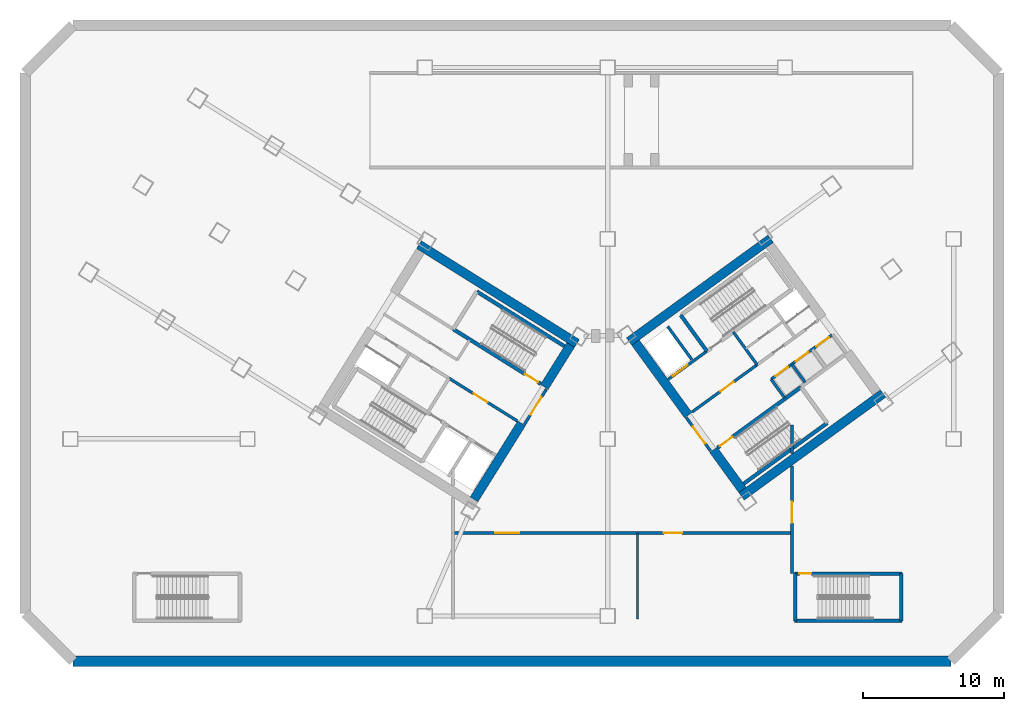
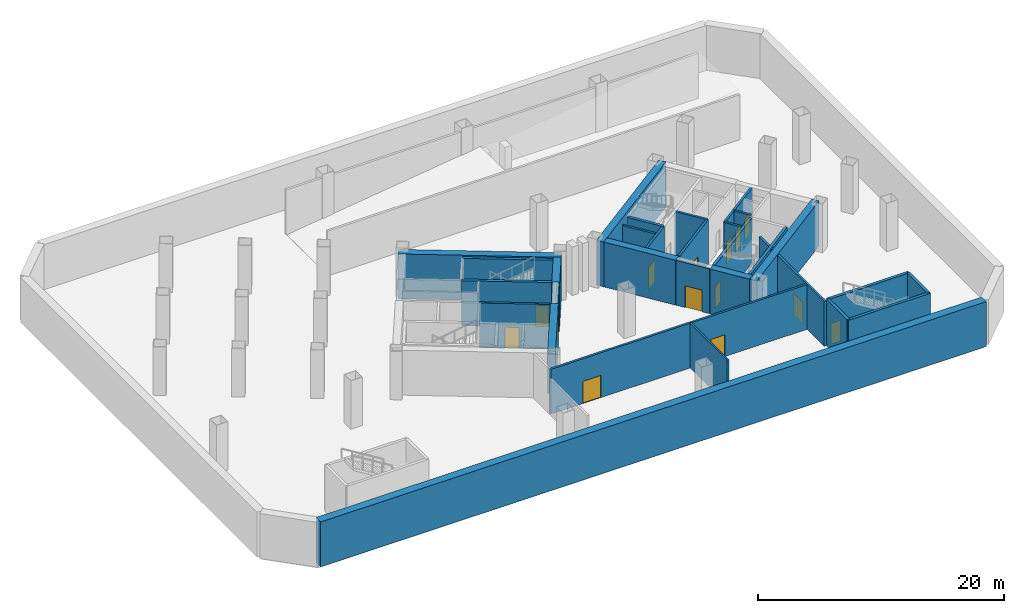
# One storey, part 3 of 9: 31 walls, 14 doors, 14 openings.
"""IFC4 building model written with IfcOpenShell, lengths in metres."""

from ifc_helpers import new_model, si_unit, direction, frame, frame_2d, origin, place, context, subcontext, project, spatial, rectangle, extrude, source, transform, mapped, material, layer, layer_set, type_object, element, fill, save


model = new_model("IFC4")

# Units and contexts
model_context = context("Model", 3, precision=1e-05, world=origin(), true_north=direction((0.0, 1.0)))
body_context = subcontext(model_context, "Body", "Model", "MODEL_VIEW")
ifc_project = project(units=[si_unit("LENGTHUNIT", "METRE"), si_unit("AREAUNIT", "SQUARE_METRE"), si_unit("VOLUMEUNIT", "CUBIC_METRE"), si_unit("PLANEANGLEUNIT", "RADIAN"), si_unit("MASSUNIT", "GRAM", prefix="KILO")], contexts=[model_context])

# Site, building, storey
site_placement = place(None, origin())
site = spatial("IfcSite", under=ifc_project, at=site_placement, CompositionType="ELEMENT")
building_placement = place(site_placement, origin())
building = spatial("IfcBuilding", under=site, at=building_placement, Name="Tlacorven Tower", CompositionType="ELEMENT")
storey_placement = place(building_placement, frame((0.0, 0.0, -4.800048828125)))
storey = spatial("IfcBuildingStorey", under=building, at=storey_placement, Name="B1", CompositionType="ELEMENT", Elevation=-4.800048828125)

# Walls
ifc_material_1 = material(Name="Concrete C60/75", Category="concrete")
ifc_layer_1 = layer(ifc_material_1, 0.64990234375)
ifc_layer_set_1 = layer_set([ifc_layer_1], Name="Concrete C60/75")
wall_type_1 = type_object("IfcWallType", Name="WL-COR-650", PredefinedType="SHEAR", material=ifc_layer_set_1)
wall_1_placement = place(storey_placement, frame((40.615478515625, 23.9833984375, 0.0), z_axis=(0.0, 0.0, 1.0), x_axis=(-0.848045953968, 0.529922692436, 0.0)))
element("IfcWall", 1, at=wall_1_placement, inside=storey, type_object=wall_type_1, Name="B1 W core shear wall S1", PredefinedType="SHEAR", context=body_context, shape_type="SweptSolid", body=[
    extrude(rectangle(XDim=13.239990234375, YDim=0.64990234375, at=frame_2d((6.6201171875, 0.0))), origin(), (0.0, 0.0, 1.0), 4.449951171875),
])
wall_2_placement = place(storey_placement, frame((40.167724609375, 23.880126953125, 0.0), z_axis=(0.0, 0.0, 1.0), x_axis=(-0.529893103397, -0.8480644427, 0.0)))
element("IfcWall", 2, at=wall_2_placement, inside=storey, type_object=wall_type_1, Name="B1 W core end wall E1.1", PredefinedType="SHEAR", context=body_context, shape_type="SweptSolid", body=[
    extrude(rectangle(XDim=3.525146484375, YDim=0.64990234375, at=frame_2d((1.7626953125, 0.0))), origin(), (0.0, 0.0, 1.0), 4.449951171875),
])
wall_3_placement = place(storey_placement, frame((36.683349609375, 18.30419921875, 0.0), z_axis=(0.0, 0.0, 1.0), x_axis=(-0.529899109053, -0.848060690178, 0.0)))
element("IfcWall", 3, at=wall_3_placement, inside=storey, type_object=wall_type_1, Name="B1 W core end wall E1.2", PredefinedType="SHEAR", context=body_context, shape_type="SweptSolid", body=[
    extrude(rectangle(XDim=6.375244140625, YDim=0.64990234375, at=frame_2d((3.1875, 0.0))), origin(), (0.0, 0.0, 1.0), 4.449951171875),
])
wall_4_placement = place(storey_placement, frame((52.318359375, 13.1103515625, 0.0), z_axis=(0.0, 0.0, 1.0), x_axis=(0.809019445368, 0.587781878776, 0.0)))
element("IfcWall", 4, at=wall_4_placement, inside=storey, type_object=wall_type_1, Name="B1 E core shear wall S1", PredefinedType="SHEAR", context=body_context, shape_type="SweptSolid", body=[
    extrude(rectangle(XDim=12.43994140625, YDim=0.64990234375, at=frame_2d((6.219970703125, 0.0))), origin(), (0.0, 0.0, 1.0), 4.449951171875),
])
wall_5_placement = place(storey_placement, frame((44.32470703125, 24.113037109375, 0.0), z_axis=(0.0, 0.0, 1.0), x_axis=(0.809012664862, 0.58779121131, 0.0)))
element("IfcWall", 5, at=wall_5_placement, inside=storey, type_object=wall_type_1, Name="B1 E core shear wall S2", PredefinedType="SHEAR", context=body_context, shape_type="SweptSolid", body=[
    extrude(rectangle(XDim=12.439697265625, YDim=0.64990234375, at=frame_2d((6.2197265625, 0.0))), origin(), (0.0, 0.0, 1.0), 4.449951171875),
])
wall_6_placement = place(storey_placement, frame((52.390380859375, 13.564208984375, 0.0), z_axis=(0.0, 0.0, 1.0), x_axis=(-0.58779688989, 0.809008539037, 0.0)))
element("IfcWall", 6, at=wall_6_placement, inside=storey, type_object=wall_type_1, Name="B1 E core end wall E1.1", PredefinedType="SHEAR", context=body_context, shape_type="SweptSolid", body=[
    extrude(rectangle(XDim=3.525146484375, YDim=0.64990234375, at=frame_2d((1.7626953125, 0.0))), origin(), (0.0, 0.0, 1.0), 4.449951171875),
])
wall_7_placement = place(storey_placement, frame((48.525634765625, 18.883544921875, 0.0), z_axis=(0.0, 0.0, 1.0), x_axis=(-0.58777996584, 0.809020835181, 0.0)))
element("IfcWall", 7, at=wall_7_placement, inside=storey, type_object=wall_type_1, Name="B1 E core end wall E1.2", PredefinedType="SHEAR", context=body_context, shape_type="SweptSolid", body=[
    extrude(rectangle(XDim=6.375, YDim=0.64990234375, at=frame_2d((3.1875, 0.0))), origin(), (0.0, 0.0, 1.0), 4.449951171875),
])
ifc_material_2 = material(Name="Gypsum plasterboard acoustic partition", Category="gypsum")
ifc_layer_2 = layer(ifc_material_2, 0.159912109375)
ifc_layer_set_2 = layer_set([ifc_layer_2], Name="Gypsum plasterboard acoustic partition")
wall_type_2 = type_object("IfcWallType", Name="WL-DEM-160", PredefinedType="PARTITIONING", material=ifc_layer_set_2)
wall_8_placement = place(storey_placement, frame((44.919921875, 4.39990234375, 0.0), z_axis=(0.0, 0.0, 1.0), x_axis=(0.0, 1.0, 0.0)))
element("IfcWall", 8, at=wall_8_placement, inside=storey, type_object=wall_type_2, Name="B1 partition 55", PredefinedType="PARTITIONING", context=body_context, shape_type="SweptSolid", body=[
    extrude(rectangle(XDim=6.10009765625, YDim=0.159912109375, at=frame_2d((3.050048828125, 0.0))), origin(), (0.0, 0.0, 1.0), 4.43994140625),
])
ifc_material_3 = material(Name="Concrete C50/60", Category="concrete")
ifc_layer_3 = layer(ifc_material_3, 0.75)
ifc_layer_set_3 = layer_set([ifc_layer_3], Name="Concrete C50/60")
wall_type_3 = type_object("IfcWallType", Name="WL-RET-750", PredefinedType="USERDEFINED", material=ifc_layer_set_3)
wall_9_placement = place(storey_placement, frame((4.800048828125, 1.39990234375, 0.0), z_axis=(0.0, 0.0, 1.0), x_axis=(1.0, 0.0, 0.0)))
element("IfcWall", 9, at=wall_9_placement, inside=storey, type_object=wall_type_3, Name="B1 Diaphragm Retaining Wall 1", ObjectType="RETAINING WALL", PredefinedType="USERDEFINED", context=body_context, shape_type="SweptSolid", body=[
    extrude(rectangle(XDim=62.39990234375, YDim=0.75, at=frame_2d((31.199951171875, 0.0))), origin(), (0.0, 0.0, 1.0), 4.449951171875),
])

# Wall, opening, door
ifc_material_4 = material(Name="Concrete C40/50", Category="concrete")
ifc_layer_4 = layer(ifc_material_4, 0.199951171875)
ifc_layer_set_4 = layer_set([ifc_layer_4], Name="Concrete C40/50")
wall_type_4 = type_object("IfcWallType", Name="WL-SHF-200", PredefinedType="STANDARD", material=ifc_layer_set_4)
wall_10_placement = place(storey_placement, frame((36.374267578125, 18.4736328125, 0.0), z_axis=(0.0, 0.0, 1.0), x_axis=(-0.848051071577, 0.529914502535, 0.0)))
wall_10 = element("IfcWall", 10, at=wall_10_placement, inside=storey, type_object=wall_type_4, Name="B1 Core W Smoke Lobby Wall", PredefinedType="STANDARD", context=body_context, shape_type="SweptSolid", body=[
    extrude(rectangle(XDim=5.718017578125, YDim=0.199951171875, at=frame_2d((2.85888671875, 0.0))), origin(), (0.0, 0.0, 1.0), 4.43994140625),
])
opening_1_placement = place(wall_10_placement, frame((2.498046875, 0.0, 0.0)))
opening_1 = element("IfcOpeningElement", 11, at=opening_1_placement, cuts=wall_10, Name="Opening D09", PredefinedType="OPENING", context=body_context, shape_type="SweptSolid", body=[
    extrude(rectangle(XDim=1.14990234375, YDim=2.10009765625, at=frame_2d((0.574951171875, 1.050048828125))), frame((0.0, 0.10986328125, 0.0), z_axis=(0.0, -1.0, 0.0), x_axis=(1.0, 0.0, 0.0)), (0.0, 0.0, 1.0), 0.219970703125),
])
ifc_material_5 = material(Name="Fire-rated steel door assembly", Category="steel")
door_type_1 = type_object("IfcDoorType", Name="DR-FFL-FD60-1150", OperationType="NOTDEFINED", PredefinedType="DOOR", material=ifc_material_5)
shared_shape_1 = source(origin(), body_context, "Body", "SweptSolid", [
    extrude(rectangle(XDim=1.14990234375, YDim=2.10009765625, at=frame_2d((0.574951171875, 1.050048828125))), frame((0.0, 0.02490234375, 0.0), z_axis=(0.0, -1.0, 0.0), x_axis=(1.0, 0.0, 0.0)), (0.0, 0.0, 1.0), 0.050048828125),
])
door_1_placement = place(opening_1_placement, origin())
door_1 = element("IfcDoor", 12, at=door_1_placement, inside=storey, type_object=door_type_1, Name="B1 Firefighting Lobby W Fire Door", OperationType="SINGLE_SWING_RIGHT", OverallHeight=2.10009765625, OverallWidth=1.14990234375, PredefinedType="DOOR", context=body_context, shape_type="MappedRepresentation", body=[
    mapped(shared_shape_1, transform((0.0, 0.0, 0.0), scale=1.0)),
])
fill(opening_1, door_1)

wall_11_placement = place(storey_placement, frame((47.10595703125, 21.4365234375, 0.0), z_axis=(0.0, 0.0, 1.0), x_axis=(0.809012514015, 0.58779141893, 0.0)))
wall_11 = element("IfcWall", 13, at=wall_11_placement, inside=storey, type_object=wall_type_4, Name="B1 Core E Firefighting Lift Shaft Front Wall", PredefinedType="STANDARD", context=body_context, shape_type="SweptSolid", body=[
    extrude(rectangle(XDim=3.39794921875, YDim=0.199951171875, at=frame_2d((1.698974609375, 0.0))), origin(), (0.0, 0.0, 1.0), 4.43994140625),
])
opening_2_placement = place(wall_11_placement, frame((0.407958984375, 0.0, 0.0)))
opening_2 = element("IfcOpeningElement", 14, at=opening_2_placement, cuts=wall_11, Name="Opening LD03", PredefinedType="OPENING", context=body_context, shape_type="SweptSolid", body=[
    extrude(rectangle(XDim=1.300048828125, YDim=2.199951171875, at=frame_2d((0.64990234375, 1.10009765625))), frame((0.0, 0.10986328125, 0.0), z_axis=(0.0, -1.0, 0.0), x_axis=(1.0, 0.0, 0.0)), (0.0, 0.0, 1.0), 0.219970703125),
])
door_type_2 = type_object("IfcDoorType", Name="DR-LFT-SLID-1300", OperationType="DOUBLE_DOOR_SLIDING", PredefinedType="DOOR", material=ifc_material_5)
shared_shape_2 = source(origin(), body_context, "Body", "SweptSolid", [
    extrude(rectangle(XDim=1.300048828125, YDim=2.199951171875, at=frame_2d((0.64990234375, 1.10009765625))), frame((0.0, 0.02490234375, 0.0), z_axis=(0.0, -1.0, 0.0), x_axis=(1.0, 0.0, 0.0)), (0.0, 0.0, 1.0), 0.050048828125),
])
door_2_placement = place(opening_2_placement, origin())
door_2 = element("IfcDoor", 15, at=door_2_placement, inside=storey, type_object=door_type_2, Name="B1 Lift FFL-E1 Sliding Landing Door", OperationType="DOUBLE_DOOR_SLIDING", OverallHeight=2.199951171875, OverallWidth=1.300048828125, PredefinedType="DOOR", context=body_context, shape_type="MappedRepresentation", body=[
    mapped(shared_shape_2, transform((0.0, 0.0, 0.0), scale=1.0)),
])
fill(opening_2, door_2)

wall_12_placement = place(storey_placement, frame((48.798828125, 19.106689453125, 0.0), z_axis=(0.0, 0.0, 1.0), x_axis=(0.809012959416, 0.587790805897, 0.0)))
wall_12 = element("IfcWall", 16, at=wall_12_placement, inside=storey, type_object=wall_type_4, Name="B1 Core E Smoke Lobby Wall", PredefinedType="STANDARD", context=body_context, shape_type="SweptSolid", body=[
    extrude(rectangle(XDim=5.7177734375, YDim=0.199951171875, at=frame_2d((2.85888671875, 0.0))), origin(), (0.0, 0.0, 1.0), 4.43994140625),
])
opening_3_placement = place(wall_12_placement, frame((2.498046875, 0.0, 0.0)))
opening_3 = element("IfcOpeningElement", 17, at=opening_3_placement, cuts=wall_12, Name="Opening D09", PredefinedType="OPENING", context=body_context, shape_type="SweptSolid", body=[
    extrude(rectangle(XDim=1.14990234375, YDim=2.10009765625, at=frame_2d((0.574951171875, 1.050048828125))), frame((0.0, 0.10986328125, 0.0), z_axis=(0.0, -1.0, 0.0), x_axis=(1.0, 0.0, 0.0)), (0.0, 0.0, 1.0), 0.219970703125),
])
door_3_placement = place(opening_3_placement, origin())
door_3 = element("IfcDoor", 18, at=door_3_placement, inside=storey, type_object=door_type_1, Name="B1 Firefighting Lobby E Fire Door", OperationType="SINGLE_SWING_LEFT", OverallHeight=2.10009765625, OverallWidth=1.14990234375, PredefinedType="DOOR", context=body_context, shape_type="MappedRepresentation", body=[
    mapped(shared_shape_1, transform((0.0, 0.0, 0.0), scale=1.0)),
])
fill(opening_3, door_3)

# Wall, openings, doors
wall_13_placement = place(storey_placement, frame((54.421142578125, 21.436279296875, 0.0), z_axis=(0.0, 0.0, 1.0), x_axis=(0.809013710463, 0.587789772183, 0.0)))
wall_13 = element("IfcWall", 19, at=wall_13_placement, inside=storey, type_object=wall_type_4, Name="B1 partition 29", PredefinedType="STANDARD", context=body_context, shape_type="SweptSolid", body=[
    extrude(rectangle(XDim=5.360107421875, YDim=0.199951171875, at=frame_2d((2.68017578125, 0.0))), origin(), (0.0, 0.0, 1.0), 4.43994140625),
])
opening_4_placement = place(wall_13_placement, frame((0.3701171875, 0.0, 0.0)))
opening_4 = element("IfcOpeningElement", 20, at=opening_4_placement, cuts=wall_13, Name="Opening LD01", PredefinedType="OPENING", context=body_context, shape_type="SweptSolid", body=[
    extrude(rectangle(XDim=1.10009765625, YDim=2.14990234375, at=frame_2d((0.550048828125, 1.074951171875))), frame((0.0, 0.10986328125, 0.0), z_axis=(0.0, -1.0, 0.0), x_axis=(1.0, 0.0, 0.0)), (0.0, 0.0, 1.0), 0.219970703125),
])
opening_5_placement = place(wall_13_placement, frame((2.169921875, 0.0, 0.0)))
opening_5 = element("IfcOpeningElement", 21, at=opening_5_placement, cuts=wall_13, Name="Opening LD01", PredefinedType="OPENING", context=body_context, shape_type="SweptSolid", body=[
    extrude(rectangle(XDim=1.10009765625, YDim=2.14990234375, at=frame_2d((0.550048828125, 1.074951171875))), frame((0.0, 0.10986328125, 0.0), z_axis=(0.0, -1.0, 0.0), x_axis=(1.0, 0.0, 0.0)), (0.0, 0.0, 1.0), 0.219970703125),
])
opening_6_placement = place(wall_13_placement, frame((3.969970703125, 0.0, 0.0)))
opening_6 = element("IfcOpeningElement", 22, at=opening_6_placement, cuts=wall_13, Name="Opening LD01", PredefinedType="OPENING", context=body_context, shape_type="SweptSolid", body=[
    extrude(rectangle(XDim=1.10009765625, YDim=2.14990234375, at=frame_2d((0.550048828125, 1.074951171875))), frame((0.0, 0.10986328125, 0.0), z_axis=(0.0, -1.0, 0.0), x_axis=(1.0, 0.0, 0.0)), (0.0, 0.0, 1.0), 0.219970703125),
])
door_type_3 = type_object("IfcDoorType", Name="DR-LFT-SLID-1100", OperationType="DOUBLE_DOOR_SLIDING", PredefinedType="DOOR", material=ifc_material_5)
shared_shape_3 = source(origin(), body_context, "Body", "SweptSolid", [
    extrude(rectangle(XDim=1.10009765625, YDim=2.14990234375, at=frame_2d((0.550048828125, 1.074951171875))), frame((0.0, 0.02490234375, 0.0), z_axis=(0.0, -1.0, 0.0), x_axis=(1.0, 0.0, 0.0)), (0.0, 0.0, 1.0), 0.050048828125),
])
door_4_placement = place(opening_4_placement, origin())
door_4 = element("IfcDoor", 23, at=door_4_placement, inside=storey, type_object=door_type_3, Name="B1 Lift PL-L1 Sliding Landing Door", OperationType="DOUBLE_DOOR_SLIDING", OverallHeight=2.14990234375, OverallWidth=1.10009765625, PredefinedType="DOOR", context=body_context, shape_type="MappedRepresentation", body=[
    mapped(shared_shape_3, transform((0.0, 0.0, 0.0), scale=1.0)),
])
fill(opening_4, door_4)
door_5_placement = place(opening_5_placement, origin())
door_5 = element("IfcDoor", 24, at=door_5_placement, inside=storey, type_object=door_type_3, Name="B1 Lift PL-L2 Sliding Landing Door", OperationType="DOUBLE_DOOR_SLIDING", OverallHeight=2.14990234375, OverallWidth=1.10009765625, PredefinedType="DOOR", context=body_context, shape_type="MappedRepresentation", body=[
    mapped(shared_shape_3, transform((0.0, 0.0, 0.0), scale=1.0)),
])
fill(opening_5, door_5)
door_6_placement = place(opening_6_placement, origin())
door_6 = element("IfcDoor", 25, at=door_6_placement, inside=storey, type_object=door_type_3, Name="B1 Lift PL-L3 Sliding Landing Door", OperationType="DOUBLE_DOOR_SLIDING", OverallHeight=2.14990234375, OverallWidth=1.10009765625, PredefinedType="DOOR", context=body_context, shape_type="MappedRepresentation", body=[
    mapped(shared_shape_3, transform((0.0, 0.0, 0.0), scale=1.0)),
])
fill(opening_6, door_6)

# Walls
wall_14_placement = place(storey_placement, frame((55.390869140625, 20.1015625, 0.0), z_axis=(0.0, 0.0, 1.0), x_axis=(-0.58778447739, 0.809017557374, 0.0)))
element("IfcWall", 26, at=wall_14_placement, inside=storey, type_object=wall_type_4, Name="B1 partition 30", PredefinedType="STANDARD", context=body_context, shape_type="SweptSolid", body=[
    extrude(rectangle(XDim=1.64990234375, YDim=0.199951171875, at=frame_2d((0.824951171875, 0.0))), origin(), (0.0, 0.0, 1.0), 4.43994140625),
])
wall_15_placement = place(storey_placement, frame((48.78564453125, 22.830078125, 0.0), z_axis=(0.0, 0.0, 1.0), x_axis=(-0.587783856777, 0.809018008275, 0.0)))
element("IfcWall", 27, at=wall_15_placement, inside=storey, type_object=wall_type_4, Name="B1 partition 31", PredefinedType="STANDARD", context=body_context, shape_type="SweptSolid", body=[
    extrude(rectangle(XDim=2.919921875, YDim=0.199951171875, at=frame_2d((1.4599609375, 0.0))), origin(), (0.0, 0.0, 1.0), 4.43994140625),
])
wall_16_placement = place(storey_placement, frame((56.833984375, 21.211669921875, 0.0), z_axis=(0.0, 0.0, 1.0), x_axis=(-0.58776738483, 0.809029975545, 0.0)))
element("IfcWall", 28, at=wall_16_placement, inside=storey, type_object=wall_type_4, Name="B1 partition 32", PredefinedType="STANDARD", context=body_context, shape_type="SweptSolid", body=[
    extrude(rectangle(XDim=1.580078125, YDim=0.199951171875, at=frame_2d((0.7900390625, 0.0))), origin(), (0.0, 0.0, 1.0), 4.43994140625),
])
wall_17_placement = place(storey_placement, frame((53.424560546875, 22.467529296875, 0.0), z_axis=(0.0, 0.0, 1.0), x_axis=(-0.5877230039, 0.809062216821, 0.0)))
element("IfcWall", 29, at=wall_17_placement, inside=storey, type_object=wall_type_4, Name="B1 partition 35", PredefinedType="STANDARD", context=body_context, shape_type="SweptSolid", body=[
    extrude(rectangle(XDim=2.8798828125, YDim=0.199951171875, at=frame_2d((1.43994140625, 0.0))), origin(), (0.0, 0.0, 1.0), 4.43994140625),
])

# Wall, openings, doors
wall_18_placement = place(storey_placement, frame((31.800048828125, 10.5, 0.0), z_axis=(0.0, 0.0, 1.0), x_axis=(1.0, 0.0, 0.0)))
wall_18 = element("IfcWall", 30, at=wall_18_placement, inside=storey, type_object=wall_type_4, Name="B1 partition 51", PredefinedType="STANDARD", context=body_context, shape_type="SweptSolid", body=[
    extrude(rectangle(XDim=24.099853515625, YDim=0.199951171875, at=frame_2d((12.0498046875, 0.0))), origin(), (0.0, 0.0, 1.0), 4.43994140625),
])
opening_7_placement = place(wall_18_placement, frame((3.0, 0.0, 0.0)))
opening_7 = element("IfcOpeningElement", 31, at=opening_7_placement, cuts=wall_18, Name="Opening D17", PredefinedType="OPENING", context=body_context, shape_type="SweptSolid", body=[
    extrude(rectangle(XDim=1.699951171875, YDim=2.199951171875, at=frame_2d((0.85009765625, 1.10009765625))), frame((0.0, 0.10986328125, 0.0), z_axis=(0.0, -1.0, 0.0), x_axis=(1.0, 0.0, 0.0)), (0.0, 0.0, 1.0), 0.219970703125),
])
opening_8_placement = place(wall_18_placement, frame((15.0, 0.0, 0.0)))
opening_8 = element("IfcOpeningElement", 32, at=opening_8_placement, cuts=wall_18, Name="Opening D18", PredefinedType="OPENING", context=body_context, shape_type="SweptSolid", body=[
    extrude(rectangle(XDim=1.300048828125, YDim=2.14990234375, at=frame_2d((0.64990234375, 1.074951171875))), frame((0.0, 0.10986328125, 0.0), z_axis=(0.0, -1.0, 0.0), x_axis=(1.0, 0.0, 0.0)), (0.0, 0.0, 1.0), 0.219970703125),
])
door_type_4 = type_object("IfcDoorType", Name="DR-MEP-FD60-1300", OperationType="DOUBLE_DOOR_SINGLE_SWING", PredefinedType="DOOR", material=ifc_material_5)
shared_shape_4 = source(origin(), body_context, "Body", "SweptSolid", [
    extrude(rectangle(XDim=1.300048828125, YDim=2.14990234375, at=frame_2d((0.64990234375, 1.074951171875))), frame((0.0, 0.02490234375, 0.0), z_axis=(0.0, -1.0, 0.0), x_axis=(1.0, 0.0, 0.0)), (0.0, 0.0, 1.0), 0.050048828125),
])
door_7_placement = place(opening_8_placement, frame((1.300048828125, 0.0, 0.0), z_axis=(0.0, 0.0, 1.0), x_axis=(-1.0, 0.0, 0.0)))
door_7 = element("IfcDoor", 33, at=door_7_placement, inside=storey, type_object=door_type_4, Name="B1 door 023", OperationType="DOUBLE_DOOR_SINGLE_SWING", OverallHeight=2.14990234375, OverallWidth=1.300048828125, PredefinedType="DOOR", context=body_context, shape_type="MappedRepresentation", body=[
    mapped(shared_shape_4, transform((0.0, 0.0, 0.0), scale=1.0)),
])
fill(opening_8, door_7)
door_type_5 = type_object("IfcDoorType", Name="DR-COM-HALL-1700", OperationType="DOUBLE_DOOR_SINGLE_SWING", PredefinedType="DOOR", material=ifc_material_5)
shared_shape_5 = source(origin(), body_context, "Body", "SweptSolid", [
    extrude(rectangle(XDim=1.699951171875, YDim=2.199951171875, at=frame_2d((0.85009765625, 1.10009765625))), frame((0.0, 0.02490234375, 0.0), z_axis=(0.0, -1.0, 0.0), x_axis=(1.0, 0.0, 0.0)), (0.0, 0.0, 1.0), 0.050048828125),
])
door_8_placement = place(opening_7_placement, frame((1.699951171875, 0.0, 0.0), z_axis=(0.0, 0.0, 1.0), x_axis=(-1.0, 0.0, 0.0)))
door_8 = element("IfcDoor", 34, at=door_8_placement, inside=storey, type_object=door_type_5, Name="B1 door 022", OperationType="DOUBLE_DOOR_SINGLE_SWING", OverallHeight=2.199951171875, OverallWidth=1.699951171875, PredefinedType="DOOR", context=body_context, shape_type="MappedRepresentation", body=[
    mapped(shared_shape_5, transform((0.0, 0.0, 0.0), scale=1.0)),
])
fill(opening_7, door_8)

# Wall, opening, door
wall_19_placement = place(storey_placement, frame((38.451416015625, 20.737060546875, 0.0), z_axis=(0.0, 0.0, 1.0), x_axis=(-0.529924799939, -0.848044637038, 0.0)))
wall_19 = element("IfcWall", 35, at=wall_19_placement, inside=storey, type_object=wall_type_4, Name="B1 partition 53", PredefinedType="STANDARD", context=body_context, shape_type="SweptSolid", body=[
    extrude(rectangle(XDim=2.9599609375, YDim=0.199951171875, at=frame_2d((1.47998046875, 0.0))), origin(), (0.0, 0.0, 1.0), 4.43994140625),
])
opening_9_placement = place(wall_19_placement, frame((0.64990234375, 0.0, 0.0)))
opening_9 = element("IfcOpeningElement", 36, at=opening_9_placement, cuts=wall_19, Name="Opening D10", PredefinedType="OPENING", context=body_context, shape_type="SweptSolid", body=[
    extrude(rectangle(XDim=1.5, YDim=2.14990234375, at=frame_2d((0.75, 1.074951171875))), frame((0.0, 0.10986328125, 0.0), z_axis=(0.0, -1.0, 0.0), x_axis=(1.0, 0.0, 0.0)), (0.0, 0.0, 1.0), 0.219970703125),
])
door_type_6 = type_object("IfcDoorType", Name="DR-LOB-FD60-1500", OperationType="DOUBLE_DOOR_SINGLE_SWING", PredefinedType="DOOR", material=ifc_material_5)
shared_shape_6 = source(origin(), body_context, "Body", "SweptSolid", [
    extrude(rectangle(XDim=1.5, YDim=2.14990234375, at=frame_2d((0.75, 1.074951171875))), frame((0.0, 0.02490234375, 0.0), z_axis=(0.0, -1.0, 0.0), x_axis=(1.0, 0.0, 0.0)), (0.0, 0.0, 1.0), 0.050048828125),
])
door_9_placement = place(opening_9_placement, frame((1.5, 0.0, 0.0), z_axis=(0.0, 0.0, 1.0), x_axis=(-1.0, 0.0, 0.0)))
door_9 = element("IfcDoor", 37, at=door_9_placement, inside=storey, type_object=door_type_6, Name="B1 door 020", OperationType="DOUBLE_DOOR_SINGLE_SWING", OverallHeight=2.14990234375, OverallWidth=1.5, PredefinedType="DOOR", context=body_context, shape_type="MappedRepresentation", body=[
    mapped(shared_shape_6, transform((0.0, 0.0, 0.0), scale=1.0)),
])
fill(opening_9, door_9)

wall_20_placement = place(storey_placement, frame((50.119140625, 16.3330078125, 0.0), z_axis=(0.0, 0.0, 1.0), x_axis=(-0.587749856981, 0.809042709391, 0.0)))
wall_20 = element("IfcWall", 38, at=wall_20_placement, inside=storey, type_object=wall_type_4, Name="B1 partition 54", PredefinedType="STANDARD", context=body_context, shape_type="SweptSolid", body=[
    extrude(rectangle(XDim=2.9599609375, YDim=0.199951171875, at=frame_2d((1.47998046875, 0.0))), origin(), (0.0, 0.0, 1.0), 4.43994140625),
])
opening_10_placement = place(wall_20_placement, frame((0.64990234375, 0.0, 0.0)))
opening_10 = element("IfcOpeningElement", 39, at=opening_10_placement, cuts=wall_20, Name="Opening D10", PredefinedType="OPENING", context=body_context, shape_type="SweptSolid", body=[
    extrude(rectangle(XDim=1.5, YDim=2.14990234375, at=frame_2d((0.75, 1.074951171875))), frame((0.0, 0.10986328125, 0.0), z_axis=(0.0, -1.0, 0.0), x_axis=(1.0, 0.0, 0.0)), (0.0, 0.0, 1.0), 0.219970703125),
])
door_10_placement = place(opening_10_placement, frame((1.5, 0.0, 0.0), z_axis=(0.0, 0.0, 1.0), x_axis=(-1.0, 0.0, 0.0)))
door_10 = element("IfcDoor", 40, at=door_10_placement, inside=storey, type_object=door_type_6, Name="B1 door 021", OperationType="DOUBLE_DOOR_SINGLE_SWING", OverallHeight=2.14990234375, OverallWidth=1.5, PredefinedType="DOOR", context=body_context, shape_type="MappedRepresentation", body=[
    mapped(shared_shape_6, transform((0.0, 0.0, 0.0), scale=1.0)),
])
fill(opening_10, door_10)

wall_21_placement = place(storey_placement, frame((55.89990234375, 7.6201171875, 0.0), z_axis=(0.0, 0.0, 1.0), x_axis=(0.0, 1.0, 0.0)))
wall_21 = element("IfcWall", 41, at=wall_21_placement, inside=storey, type_object=wall_type_4, Name="B1 partition 57", PredefinedType="STANDARD", context=body_context, shape_type="SweptSolid", body=[
    extrude(rectangle(XDim=7.6572265625, YDim=0.199951171875, at=frame_2d((3.82861328125, 0.0))), origin(), (0.0, 0.0, 1.0), 4.43994140625),
])
opening_11_placement = place(wall_21_placement, frame((3.60009765625, 0.0, 0.0)))
opening_11 = element("IfcOpeningElement", 42, at=opening_11_placement, cuts=wall_21, Name="Opening D10", PredefinedType="OPENING", context=body_context, shape_type="SweptSolid", body=[
    extrude(rectangle(XDim=1.5, YDim=2.14990234375, at=frame_2d((0.75, 1.074951171875))), frame((0.0, 0.10986328125, 0.0), z_axis=(0.0, -1.0, 0.0), x_axis=(1.0, 0.0, 0.0)), (0.0, 0.0, 1.0), 0.219970703125),
])
door_11_placement = place(opening_11_placement, origin())
door_11 = element("IfcDoor", 43, at=door_11_placement, inside=storey, type_object=door_type_6, Name="B1 door 024", OperationType="DOUBLE_DOOR_SINGLE_SWING", OverallHeight=2.14990234375, OverallWidth=1.5, PredefinedType="DOOR", context=body_context, shape_type="MappedRepresentation", body=[
    mapped(shared_shape_6, transform((0.0, 0.0, 0.0), scale=1.0)),
])
fill(opening_11, door_11)

# Walls
wall_22_placement = place(storey_placement, frame((55.89990234375, 16.1474609375, 0.0), z_axis=(0.0, 0.0, 1.0), x_axis=(0.0, 1.0, 0.0)))
element("IfcWall", 44, at=wall_22_placement, inside=storey, type_object=wall_type_4, Name="B1 partition 57", PredefinedType="STANDARD", context=body_context, shape_type="SweptSolid", body=[
    extrude(rectangle(XDim=2.052490234375, YDim=0.199951171875, at=frame_2d((1.0263671875, 0.0))), origin(), (0.0, 0.0, 1.0), 4.43994140625),
])
ifc_layer_5 = layer(ifc_material_3, 0.260009765625)
ifc_layer_set_5 = layer_set([ifc_layer_5], Name="Concrete C50/60")
wall_type_5 = type_object("IfcWallType", Name="WL-STW-260", PredefinedType="SHEAR", material=ifc_layer_set_5)
wall_23_placement = place(storey_placement, frame((39.720947265625, 23.787841796875, 0.0), z_axis=(0.0, 0.0, 1.0), x_axis=(-0.848054434086, 0.529909121291, 0.0)))
element("IfcWall", 45, at=wall_23_placement, inside=storey, type_object=wall_type_5, Name="B1 Stair W2 Far Shear Wall", PredefinedType="SHEAR", context=body_context, shape_type="SweptSolid", body=[
    extrude(rectangle(XDim=7.330078125, YDim=0.260009765625, at=frame_2d((3.6650390625, 0.0))), origin(), (0.0, 0.0, 1.0), 4.449951171875),
])

# Wall, opening, door
wall_24_placement = place(storey_placement, frame((38.04638671875, 21.10791015625, 0.0), z_axis=(0.0, 0.0, 1.0), x_axis=(-0.848054434086, 0.529909121291, 0.0)))
wall_24 = element("IfcWall", 46, at=wall_24_placement, inside=storey, type_object=wall_type_5, Name="B1 Stair W2 Lobby Shear Wall", PredefinedType="SHEAR", context=body_context, shape_type="SweptSolid", body=[
    extrude(rectangle(XDim=7.330078125, YDim=0.260009765625, at=frame_2d((3.6650390625, 0.0))), origin(), (0.0, 0.0, 1.0), 4.449951171875),
])
opening_12_placement = place(wall_24_placement, frame((0.219970703125, 0.0, 0.0)))
opening_12 = element("IfcOpeningElement", 47, at=opening_12_placement, cuts=wall_24, Name="Opening D07", PredefinedType="OPENING", context=body_context, shape_type="SweptSolid", body=[
    extrude(rectangle(XDim=1.10009765625, YDim=2.10009765625, at=frame_2d((0.550048828125, 1.050048828125))), frame((0.0, 0.14013671875, 0.0), z_axis=(0.0, -1.0, 0.0), x_axis=(1.0, 0.0, 0.0)), (0.0, 0.0, 1.0), 0.280029296875),
])
door_type_7 = type_object("IfcDoorType", Name="DR-STR-FD90-1100", OperationType="NOTDEFINED", PredefinedType="DOOR", material=ifc_material_5)
shared_shape_7 = source(origin(), body_context, "Body", "SweptSolid", [
    extrude(rectangle(XDim=1.10009765625, YDim=2.10009765625, at=frame_2d((0.550048828125, 1.050048828125))), frame((0.0, 0.02490234375, 0.0), z_axis=(0.0, -1.0, 0.0), x_axis=(1.0, 0.0, 0.0)), (0.0, 0.0, 1.0), 0.050048828125),
])
door_12_placement = place(opening_12_placement, origin())
door_12 = element("IfcDoor", 48, at=door_12_placement, inside=storey, type_object=door_type_7, Name="B1 Exit Stair W2 Fire Door", OperationType="SINGLE_SWING_LEFT", OverallHeight=2.10009765625, OverallWidth=1.10009765625, PredefinedType="DOOR", context=body_context, shape_type="MappedRepresentation", body=[
    mapped(shared_shape_7, transform((0.0, 0.0, 0.0), scale=1.0)),
])
fill(opening_12, door_12)

# Walls
wall_25_placement = place(storey_placement, frame((49.85498046875, 23.433837890625, 0.0), z_axis=(0.0, 0.0, 1.0), x_axis=(-0.58776738483, 0.809029975545, 0.0)))
element("IfcWall", 49, at=wall_25_placement, inside=storey, type_object=wall_type_5, Name="B1 Stair E1 West Shear Wall", PredefinedType="SHEAR", context=body_context, shape_type="SweptSolid", body=[
    extrude(rectangle(XDim=3.16015625, YDim=0.260009765625, at=frame_2d((1.580078125, 0.0))), origin(), (0.0, 0.0, 1.0), 4.449951171875),
])
wall_26_placement = place(storey_placement, frame((52.47216796875, 14.01318359375, 0.0), z_axis=(0.0, 0.0, 1.0), x_axis=(0.809028366311, 0.587769599847, 0.0)))
element("IfcWall", 50, at=wall_26_placement, inside=storey, type_object=wall_type_5, Name="B1 Stair E2 Far Shear Wall", PredefinedType="SHEAR", context=body_context, shape_type="SweptSolid", body=[
    extrude(rectangle(XDim=7.330078125, YDim=0.260009765625, at=frame_2d((3.6650390625, 0.0))), origin(), (0.0, 0.0, 1.0), 4.449951171875),
])

# Wall, opening, door
wall_27_placement = place(storey_placement, frame((50.61474609375, 16.569580078125, 0.0), z_axis=(0.0, 0.0, 1.0), x_axis=(0.809028366311, 0.587769599847, 0.0)))
wall_27 = element("IfcWall", 51, at=wall_27_placement, inside=storey, type_object=wall_type_5, Name="B1 Stair E2 Lobby Shear Wall", PredefinedType="SHEAR", context=body_context, shape_type="SweptSolid", body=[
    extrude(rectangle(XDim=7.330078125, YDim=0.260009765625, at=frame_2d((3.6650390625, 0.0))), origin(), (0.0, 0.0, 1.0), 4.449951171875),
])
opening_13_placement = place(wall_27_placement, frame((0.219970703125, 0.0, 0.0)))
opening_13 = element("IfcOpeningElement", 52, at=opening_13_placement, cuts=wall_27, Name="Opening D07", PredefinedType="OPENING", context=body_context, shape_type="SweptSolid", body=[
    extrude(rectangle(XDim=1.10009765625, YDim=2.10009765625, at=frame_2d((0.550048828125, 1.050048828125))), frame((0.0, 0.14013671875, 0.0), z_axis=(0.0, -1.0, 0.0), x_axis=(1.0, 0.0, 0.0)), (0.0, 0.0, 1.0), 0.280029296875),
])
door_13_placement = place(opening_13_placement, origin())
door_13 = element("IfcDoor", 53, at=door_13_placement, inside=storey, type_object=door_type_7, Name="B1 Exit Stair E2 Fire Door", OperationType="SINGLE_SWING_RIGHT", OverallHeight=2.10009765625, OverallWidth=1.10009765625, PredefinedType="DOOR", context=body_context, shape_type="MappedRepresentation", body=[
    mapped(shared_shape_7, transform((0.0, 0.0, 0.0), scale=1.0)),
])
fill(opening_13, door_13)

wall_28_placement = place(storey_placement, frame((56.070068359375, 7.6201171875, 0.0), z_axis=(0.0, 0.0, 1.0), x_axis=(1.0, 0.0, 0.0)))
wall_28 = element("IfcWall", 54, at=wall_28_placement, inside=storey, type_object=wall_type_5, Name="B1 Stair P2 North Wall", PredefinedType="SHEAR", context=body_context, shape_type="SweptSolid", body=[
    extrude(rectangle(XDim=7.659912109375, YDim=0.260009765625, at=frame_2d((3.830078125, 0.0))), origin(), (0.0, 0.0, 1.0), 4.60009765625),
])
opening_14_placement = place(wall_28_placement, frame((0.360107421875, 0.0, 0.0)))
opening_14 = element("IfcOpeningElement", 55, at=opening_14_placement, cuts=wall_28, Name="Opening D19", PredefinedType="OPENING", context=body_context, shape_type="SweptSolid", body=[
    extrude(rectangle(XDim=0.860107421875, YDim=2.050048828125, at=frame_2d((0.43017578125, 1.02490234375))), frame((0.0, 0.14013671875, 0.0), z_axis=(0.0, -1.0, 0.0), x_axis=(1.0, 0.0, 0.0)), (0.0, 0.0, 1.0), 0.280029296875),
])
door_type_8 = type_object("IfcDoorType", Name="DR-RSR-FD60-0860", OperationType="NOTDEFINED", PredefinedType="DOOR", material=ifc_material_5)
shared_shape_8 = source(origin(), body_context, "Body", "SweptSolid", [
    extrude(rectangle(XDim=0.860107421875, YDim=2.050048828125, at=frame_2d((0.43017578125, 1.02490234375))), frame((0.0, 0.02490234375, 0.0), z_axis=(0.0, -1.0, 0.0), x_axis=(1.0, 0.0, 0.0)), (0.0, 0.0, 1.0), 0.050048828125),
])
door_14_placement = place(opening_14_placement, origin())
door_14 = element("IfcDoor", 56, at=door_14_placement, inside=storey, type_object=door_type_8, Name="B1 door 026", OperationType="SINGLE_SWING_LEFT", OverallHeight=2.050048828125, OverallWidth=0.860107421875, PredefinedType="DOOR", context=body_context, shape_type="MappedRepresentation", body=[
    mapped(shared_shape_8, transform((0.0, 0.0, 0.0), scale=1.0)),
])
fill(opening_14, door_14)

# Walls
wall_29_placement = place(storey_placement, frame((56.070068359375, 4.260009765625, 0.0), z_axis=(0.0, 0.0, 1.0), x_axis=(1.0, 0.0, 0.0)))
element("IfcWall", 57, at=wall_29_placement, inside=storey, type_object=wall_type_5, Name="B1 Stair P2 South Wall", PredefinedType="SHEAR", context=body_context, shape_type="SweptSolid", body=[
    extrude(rectangle(XDim=7.659912109375, YDim=0.260009765625, at=frame_2d((3.830078125, 0.0))), origin(), (0.0, 0.0, 1.0), 4.60009765625),
])
for number, where, z_axis, x_axis, name in (
    (58, (56.139892578125, 4.260009765625, 0.0), (0.0, 0.0, 1.0), (0.0, 1.0, 0.0), "B1 Stair P2 West Wall"),
    (59, (63.659912109375, 4.260009765625, 0.0), (0.0, 0.0, 1.0), (0.0, 1.0, 0.0), "B1 Stair P2 East Wall"),
):
    element("IfcWall", number, at=place(storey_placement, frame(where, z_axis=z_axis, x_axis=x_axis)), inside=storey, type_object=wall_type_5, Name=name, PredefinedType="SHEAR", context=body_context, shape_type="SweptSolid", body=[
        extrude(rectangle(XDim=3.360107421875, YDim=0.260009765625, at=frame_2d((1.68017578125, 0.0))), origin(), (0.0, 0.0, 1.0), 4.60009765625),
    ])

save(model, "model.ifc")
